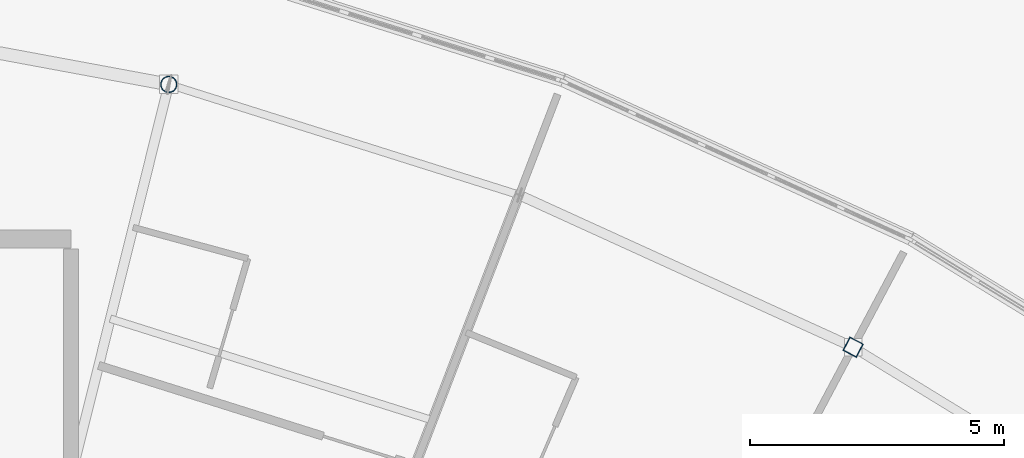
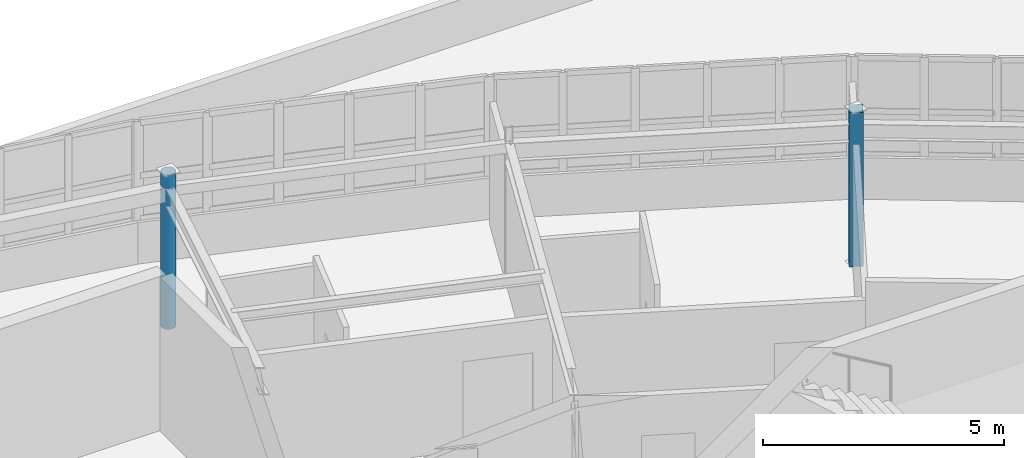
# One storey, part 15 of 128: 2 columns.
"""IFC4 building model written with IfcOpenShell, lengths in metres."""

from ifc_helpers import new_model, si_unit, direction, frame, origin, origin_2d, place, context, subcontext, project, spatial, hollow_rectangle, hollow_circle, extrude, material, material_profile, profile_set, type_object, element, save


model = new_model("IFC4")

# Units and contexts
model_context = context("Model", 3, precision=1e-05, world=origin(), true_north=direction((0.0, 1.0)))
body_context = subcontext(model_context, "Body", "Model", "MODEL_VIEW")
ifc_project = project(units=[si_unit("LENGTHUNIT", "METRE"), si_unit("AREAUNIT", "SQUARE_METRE"), si_unit("VOLUMEUNIT", "CUBIC_METRE"), si_unit("PLANEANGLEUNIT", "RADIAN"), si_unit("MASSUNIT", "GRAM", prefix="KILO")], contexts=[model_context])

# Site, building, storey
site_placement = place(None, origin())
site = spatial("IfcSite", under=ifc_project, at=site_placement, CompositionType="ELEMENT")
building_placement = place(site_placement, origin())
building = spatial("IfcBuilding", under=site, at=building_placement, Name="Tarnwether General Hospital", CompositionType="ELEMENT")
storey_placement = place(building_placement, frame((0.0, 0.0, 14.39990234375)))
storey = spatial("IfcBuildingStorey", under=building, at=storey_placement, Name="L03", CompositionType="ELEMENT", Elevation=14.39990234375)

# Columns
ifc_material_1 = material(Name="Steel Grade C350L0 (350 MPa)", Category="steel")
ifc_material_profile_1 = material_profile(ifc_material_1, hollow_circle(Radius=0.161865234375, WallThickness=0.0126953125, at=origin_2d()), Name="CHS323.9x12.7")
ifc_profile_set_1 = profile_set([ifc_material_profile_1], Name="Steel Grade C350L0 (350 MPa)")
column_type_1 = type_object("IfcColumnType", Name="COL-26", PredefinedType="COLUMN", material=ifc_profile_set_1)
column_1_placement = place(storey_placement, frame((106.322021484375, 120.44189453125, 0.0), z_axis=(0.0, 0.0, 1.0), x_axis=(0.2419218956, 0.970295726276, 0.0)))
element("IfcColumn", 1, at=column_1_placement, inside=storey, type_object=column_type_1, Name="Column COLG-L03-10632_12044", PredefinedType="COLUMN", context=body_context, shape_type="SweptSolid", body=[
    extrude(hollow_circle(Radius=0.161865234375, WallThickness=0.0126953125, at=origin_2d()), origin(), (0.0, 0.0, 1.0), 3.900146484375),
])
ifc_material_2 = material(Name="Steel Grade C350L0 (350 MPa)", Category="steel")
ifc_material_profile_2 = material_profile(ifc_material_2, hollow_rectangle(XDim=0.300048828125, YDim=0.300048828125, WallThickness=0.012451171875, at=origin_2d()), Name="SHS300x300x12.5")
ifc_profile_set_2 = profile_set([ifc_material_profile_2], Name="Steel Grade C350L0 (350 MPa)")
column_type_2 = type_object("IfcColumnType", Name="COL-30", PredefinedType="COLUMN", material=ifc_profile_set_2)
column_2_placement = place(storey_placement, frame((119.79296875, 115.27001953125, 0.0), z_axis=(0.0, 0.0, 1.0), x_axis=(0.469471562786, 0.882947592859, 0.0)))
element("IfcColumn", 2, at=column_2_placement, inside=storey, type_object=column_type_2, Name="Column COLG-L03-11979_11527", PredefinedType="COLUMN", context=body_context, shape_type="SweptSolid", body=[
    extrude(hollow_rectangle(XDim=0.300048828125, YDim=0.300048828125, WallThickness=0.012451171875, at=origin_2d()), origin(), (0.0, 0.0, 1.0), 3.900146484375),
])

save(model, "model.ifc")
